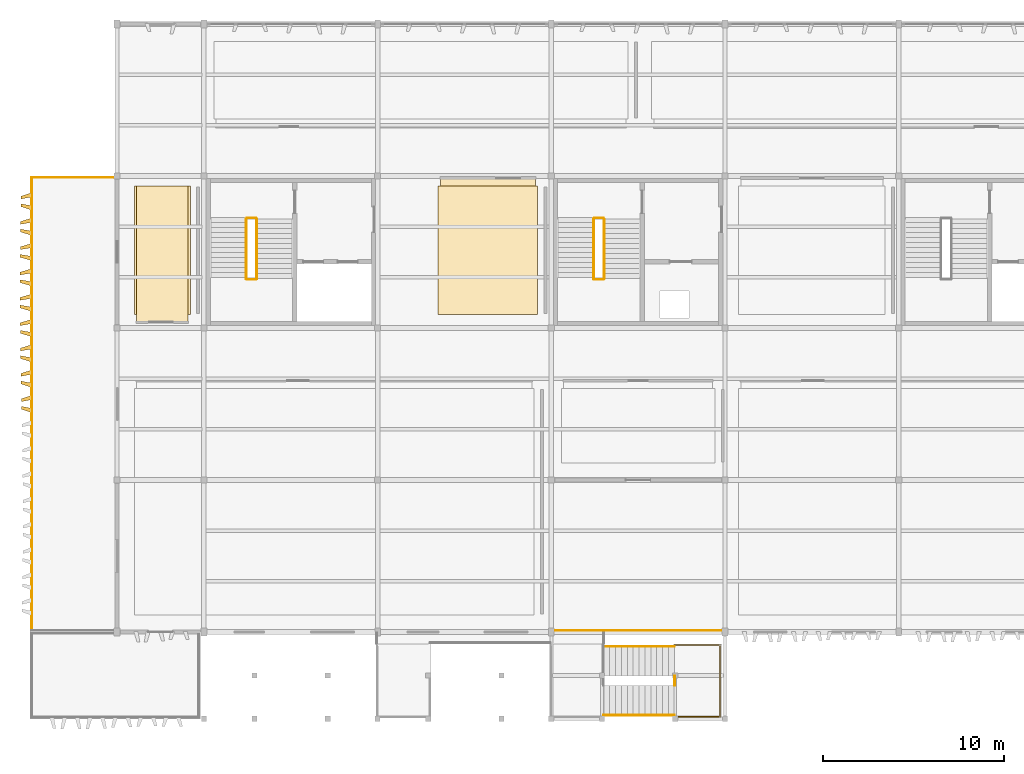
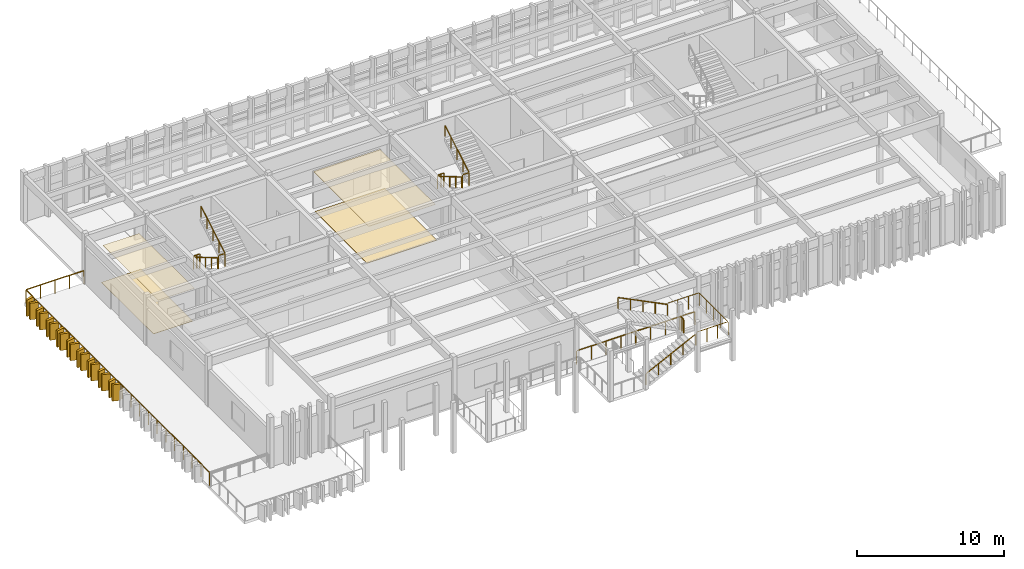
# One storey, part 12 of 14: 22 coverings, 15 railings.
"""IFC4 building model written with IfcOpenShell, lengths in metres."""

from ifc_helpers import new_model, si_unit, direction, frame, origin, origin_2d, place, context, subcontext, project, spatial, polyline, circle, outline, extrude, material, layer, layer_set, type_object, element, save


model = new_model("IFC4")

# Units and contexts
model_context = context("Model", 3, precision=1e-05, world=origin(), true_north=direction((0.0, 1.0)))
body_context = subcontext(model_context, "Body", "Model", "MODEL_VIEW")
ifc_project = project(units=[si_unit("LENGTHUNIT", "METRE"), si_unit("AREAUNIT", "SQUARE_METRE"), si_unit("VOLUMEUNIT", "CUBIC_METRE"), si_unit("PLANEANGLEUNIT", "RADIAN"), si_unit("MASSUNIT", "GRAM", prefix="KILO")], contexts=[model_context])

# Site, building, storey
site_placement = place(None, origin())
site = spatial("IfcSite", under=ifc_project, at=site_placement, CompositionType="ELEMENT")
building_placement = place(site_placement, origin())
building = spatial("IfcBuilding", under=site, at=building_placement, Name="Kolvemor Railside Polytechnic", CompositionType="ELEMENT")
storey_placement = place(building_placement, frame((0.0, 0.0, 22.800048828125)))
storey = spatial("IfcBuildingStorey", under=building, at=storey_placement, Name="L05", CompositionType="ELEMENT", Elevation=22.800048828125)

# Coverings
ifc_material_1 = material(Name="Perforated acoustic mineral-fibre and timber-slat ceiling", Category="wood")
ifc_layer_1 = layer(ifc_material_1, 0.030029296875, Name="COV-CEIL-2")
ifc_layer_set_1 = layer_set([ifc_layer_1], Name="Perforated acoustic mineral-fibre and timber-slat ceiling")
covering_type_1 = type_object("IfcCoveringType", Name="COV-CEIL-2", PredefinedType="CEILING", material=ifc_layer_set_1)
covering_1_placement = place(storey_placement, frame((0.0, 0.0, 3.02001953125)))
element("IfcCovering", 1, at=covering_1_placement, inside=storey, type_object=covering_type_1, Name="High-Performance Computing and AI Laboratory Acoustic Ceiling", PredefinedType="CEILING", context=body_context, shape_type="SweptSolid", body=[
    extrude(outline(polyline([(63.47998046875, 21.919921875), (66.320068359375, 21.919921875), (66.320068359375, 29.449951171875), (63.47998046875, 29.449951171875), (63.47998046875, 21.919921875)])), origin(), (0.0, 0.0, 1.0), 0.030029296875),
])
ifc_material_2 = material(Name="Perforated acoustic mineral-fibre and timber-slat ceiling", Category="wood")
ifc_layer_2 = layer(ifc_material_2, 0.034912109375, Name="COV-CEIL-3")
ifc_layer_set_2 = layer_set([ifc_layer_2], Name="Perforated acoustic mineral-fibre and timber-slat ceiling")
covering_type_2 = type_object("IfcCoveringType", Name="COV-CEIL-3", PredefinedType="CEILING", material=ifc_layer_set_2)
covering_2_placement = place(storey_placement, frame((0.0, 0.0, 3.014892578125)))
element("IfcCovering", 2, at=covering_2_placement, inside=storey, type_object=covering_type_2, Name="Human-Machine Interaction Laboratory Acoustic Ceiling", PredefinedType="CEILING", context=body_context, shape_type="SweptSolid", body=[
    extrude(outline(polyline([(80.280029296875, 22.35009765625), (85.52001953125, 22.35009765625), (85.52001953125, 29.8798828125), (80.280029296875, 29.8798828125), (80.280029296875, 22.35009765625)])), origin(), (0.0, 0.0, 1.0), 0.03515625),
])
ifc_material_3 = material(Name="Champagne-bronze PVDF-anodised marine aluminium 5052-H32", Category="aluminium")
ifc_layer_3 = layer(ifc_material_3, 0.179931640625, Name="COV-FIN-CHAMP")
ifc_layer_set_3 = layer_set([ifc_layer_3], Name="Champagne-bronze PVDF-anodised marine aluminium 5052-H32")
covering_type_3 = type_object("IfcCoveringType", Name="COV-FIN-CHAMP", PredefinedType="CLADDING", material=ifc_layer_set_3)
covering_3_placement = place(storey_placement, frame((0.0, 0.0, -0.219970703125)))
element("IfcCovering", 3, at=covering_3_placement, inside=storey, type_object=covering_type_3, Name="Pleated Solar Fin L05-0880", PredefinedType="CLADDING", context=body_context, shape_type="SweptSolid", body=[
    extrude(outline(polyline([(57.635009765625, 29.06494140625), (57.635009765625, 28.8349609375), (57.093994140625, 28.72998046875), (57.093994140625, 28.889892578125), (57.635009765625, 29.06494140625)])), origin(), (0.0, 0.0, 1.0), 1.369873046875),
])
covering_4_placement = place(storey_placement, frame((0.0, 0.0, -0.219970703125)))
element("IfcCovering", 4, at=covering_4_placement, inside=storey, type_object=covering_type_3, Name="Pleated Solar Fin L05-0881", PredefinedType="CLADDING", context=body_context, shape_type="SweptSolid", body=[
    extrude(outline(polyline([(57.635009765625, 28.364990234375), (57.635009765625, 28.135009765625), (57.0810546875, 28.31005859375), (57.0810546875, 28.469970703125), (57.635009765625, 28.364990234375)])), origin(), (0.0, 0.0, 1.0), 1.369873046875),
])
covering_5_placement = place(storey_placement, frame((0.0, 0.0, -0.219970703125)))
element("IfcCovering", 5, at=covering_5_placement, inside=storey, type_object=covering_type_3, Name="Pleated Solar Fin L05-0882", PredefinedType="CLADDING", context=body_context, shape_type="SweptSolid", body=[
    extrude(outline(polyline([(57.635009765625, 27.6650390625), (57.635009765625, 27.43505859375), (57.069091796875, 27.330078125), (57.069091796875, 27.489990234375), (57.635009765625, 27.6650390625)])), origin(), (0.0, 0.0, 1.0), 1.369873046875),
])
covering_6_placement = place(storey_placement, frame((0.0, 0.0, -0.219970703125)))
element("IfcCovering", 6, at=covering_6_placement, inside=storey, type_object=covering_type_3, Name="Pleated Solar Fin L05-0883", PredefinedType="CLADDING", context=body_context, shape_type="SweptSolid", body=[
    extrude(outline(polyline([(57.635009765625, 26.965087890625), (57.635009765625, 26.735107421875), (57.05810546875, 26.909912109375), (57.05810546875, 27.070068359375), (57.635009765625, 26.965087890625)])), origin(), (0.0, 0.0, 1.0), 1.369873046875),
])
covering_7_placement = place(storey_placement, frame((0.0, 0.0, -0.219970703125)))
element("IfcCovering", 7, at=covering_7_placement, inside=storey, type_object=covering_type_3, Name="Pleated Solar Fin L05-0884", PredefinedType="CLADDING", context=body_context, shape_type="SweptSolid", body=[
    extrude(outline(polyline([(57.635009765625, 26.264892578125), (57.635009765625, 26.034912109375), (57.049072265625, 25.929931640625), (57.049072265625, 26.090087890625), (57.635009765625, 26.264892578125)])), origin(), (0.0, 0.0, 1.0), 1.369873046875),
])
covering_8_placement = place(storey_placement, frame((0.0, 0.0, -0.219970703125)))
element("IfcCovering", 8, at=covering_8_placement, inside=storey, type_object=covering_type_3, Name="Pleated Solar Fin L05-0885", PredefinedType="CLADDING", context=body_context, shape_type="SweptSolid", body=[
    extrude(outline(polyline([(57.635009765625, 25.56494140625), (57.635009765625, 25.3349609375), (57.0419921875, 25.510009765625), (57.0419921875, 25.669921875), (57.635009765625, 25.56494140625)])), origin(), (0.0, 0.0, 1.0), 1.369873046875),
])
covering_9_placement = place(storey_placement, frame((0.0, 0.0, -0.219970703125)))
element("IfcCovering", 9, at=covering_9_placement, inside=storey, type_object=covering_type_3, Name="Pleated Solar Fin L05-0886", PredefinedType="CLADDING", context=body_context, shape_type="SweptSolid", body=[
    extrude(outline(polyline([(57.635009765625, 24.864990234375), (57.635009765625, 24.635009765625), (57.0380859375, 24.530029296875), (57.0380859375, 24.68994140625), (57.635009765625, 24.864990234375)])), origin(), (0.0, 0.0, 1.0), 1.369873046875),
])
covering_10_placement = place(storey_placement, frame((0.0, 0.0, -0.219970703125)))
element("IfcCovering", 10, at=covering_10_placement, inside=storey, type_object=covering_type_3, Name="Pleated Solar Fin L05-0887", PredefinedType="CLADDING", context=body_context, shape_type="SweptSolid", body=[
    extrude(outline(polyline([(57.635009765625, 24.1650390625), (57.635009765625, 23.93505859375), (57.034912109375, 24.110107421875), (57.034912109375, 24.27001953125), (57.635009765625, 24.1650390625)])), origin(), (0.0, 0.0, 1.0), 1.369873046875),
])
covering_11_placement = place(storey_placement, frame((0.0, 0.0, -0.219970703125)))
element("IfcCovering", 11, at=covering_11_placement, inside=storey, type_object=covering_type_3, Name="Pleated Solar Fin L05-0888", PredefinedType="CLADDING", context=body_context, shape_type="SweptSolid", body=[
    extrude(outline(polyline([(57.635009765625, 23.465087890625), (57.635009765625, 23.235107421875), (57.034912109375, 23.1298828125), (57.034912109375, 23.2900390625), (57.635009765625, 23.465087890625)])), origin(), (0.0, 0.0, 1.0), 1.369873046875),
])
covering_12_placement = place(storey_placement, frame((0.0, 0.0, -0.219970703125)))
element("IfcCovering", 12, at=covering_12_placement, inside=storey, type_object=covering_type_3, Name="Pleated Solar Fin L05-0889", PredefinedType="CLADDING", context=body_context, shape_type="SweptSolid", body=[
    extrude(outline(polyline([(57.635009765625, 22.764892578125), (57.635009765625, 22.534912109375), (57.0380859375, 22.7099609375), (57.0380859375, 22.8701171875), (57.635009765625, 22.764892578125)])), origin(), (0.0, 0.0, 1.0), 1.369873046875),
])
covering_13_placement = place(storey_placement, frame((0.0, 0.0, -0.219970703125)))
element("IfcCovering", 13, at=covering_13_placement, inside=storey, type_object=covering_type_3, Name="Pleated Solar Fin L05-0890", PredefinedType="CLADDING", context=body_context, shape_type="SweptSolid", body=[
    extrude(outline(polyline([(57.635009765625, 22.06494140625), (57.635009765625, 21.8349609375), (57.0419921875, 21.72998046875), (57.0419921875, 21.889892578125), (57.635009765625, 22.06494140625)])), origin(), (0.0, 0.0, 1.0), 1.369873046875),
])
covering_14_placement = place(storey_placement, frame((0.0, 0.0, -0.219970703125)))
element("IfcCovering", 14, at=covering_14_placement, inside=storey, type_object=covering_type_3, Name="Pleated Solar Fin L05-0891", PredefinedType="CLADDING", context=body_context, shape_type="SweptSolid", body=[
    extrude(outline(polyline([(57.635009765625, 21.364990234375), (57.635009765625, 21.135009765625), (57.049072265625, 21.31005859375), (57.049072265625, 21.469970703125), (57.635009765625, 21.364990234375)])), origin(), (0.0, 0.0, 1.0), 1.369873046875),
])
covering_15_placement = place(storey_placement, frame((0.0, 0.0, -0.219970703125)))
element("IfcCovering", 15, at=covering_15_placement, inside=storey, type_object=covering_type_3, Name="Pleated Solar Fin L05-0892", PredefinedType="CLADDING", context=body_context, shape_type="SweptSolid", body=[
    extrude(outline(polyline([(57.635009765625, 20.6650390625), (57.635009765625, 20.43505859375), (57.05810546875, 20.330078125), (57.05810546875, 20.489990234375), (57.635009765625, 20.6650390625)])), origin(), (0.0, 0.0, 1.0), 1.369873046875),
])
covering_16_placement = place(storey_placement, frame((0.0, 0.0, -0.219970703125)))
element("IfcCovering", 16, at=covering_16_placement, inside=storey, type_object=covering_type_3, Name="Pleated Solar Fin L05-0893", PredefinedType="CLADDING", context=body_context, shape_type="SweptSolid", body=[
    extrude(outline(polyline([(57.635009765625, 19.965087890625), (57.635009765625, 19.735107421875), (57.069091796875, 19.909912109375), (57.069091796875, 20.070068359375), (57.635009765625, 19.965087890625)])), origin(), (0.0, 0.0, 1.0), 1.369873046875),
])
covering_17_placement = place(storey_placement, frame((0.0, 0.0, -0.219970703125)))
element("IfcCovering", 17, at=covering_17_placement, inside=storey, type_object=covering_type_3, Name="Pleated Solar Fin L05-0894", PredefinedType="CLADDING", context=body_context, shape_type="SweptSolid", body=[
    extrude(outline(polyline([(57.635009765625, 19.264892578125), (57.635009765625, 19.034912109375), (57.0810546875, 18.929931640625), (57.0810546875, 19.090087890625), (57.635009765625, 19.264892578125)])), origin(), (0.0, 0.0, 1.0), 1.369873046875),
])
covering_18_placement = place(storey_placement, frame((0.0, 0.0, -0.219970703125)))
element("IfcCovering", 18, at=covering_18_placement, inside=storey, type_object=covering_type_3, Name="Pleated Solar Fin L05-0895", PredefinedType="CLADDING", context=body_context, shape_type="SweptSolid", body=[
    extrude(outline(polyline([(57.635009765625, 18.56494140625), (57.635009765625, 18.3349609375), (57.093994140625, 18.510009765625), (57.093994140625, 18.669921875), (57.635009765625, 18.56494140625)])), origin(), (0.0, 0.0, 1.0), 1.369873046875),
])
covering_19_placement = place(storey_placement, frame((0.0, 0.0, -0.219970703125)))
element("IfcCovering", 19, at=covering_19_placement, inside=storey, type_object=covering_type_3, Name="Pleated Solar Fin L05-0896", PredefinedType="CLADDING", context=body_context, shape_type="SweptSolid", body=[
    extrude(outline(polyline([(57.635009765625, 17.864990234375), (57.635009765625, 17.635009765625), (57.10791015625, 17.530029296875), (57.10791015625, 17.68994140625), (57.635009765625, 17.864990234375)])), origin(), (0.0, 0.0, 1.0), 1.369873046875),
])
covering_20_placement = place(storey_placement, frame((0.0, 0.0, -0.219970703125)))
element("IfcCovering", 20, at=covering_20_placement, inside=storey, type_object=covering_type_3, Name="Pleated Solar Fin L05-0897", PredefinedType="CLADDING", context=body_context, shape_type="SweptSolid", body=[
    extrude(outline(polyline([(57.635009765625, 17.1650390625), (57.635009765625, 16.93505859375), (57.1220703125, 17.110107421875), (57.1220703125, 17.27001953125), (57.635009765625, 17.1650390625)])), origin(), (0.0, 0.0, 1.0), 1.369873046875),
])
ifc_material_4 = material(Name="Polished coral-aggregate terrazzo and laboratory epoxy flooring")
ifc_layer_4 = layer(ifc_material_4, 0.02490234375, Name="COV-FLR-2")
ifc_layer_set_4 = layer_set([ifc_layer_4], Name="Polished coral-aggregate terrazzo and laboratory epoxy flooring")
covering_type_4 = type_object("IfcCoveringType", Name="COV-FLR-2", PredefinedType="FLOORING", material=ifc_layer_set_4)
covering_21_placement = place(storey_placement, origin())
element("IfcCovering", 21, at=covering_21_placement, inside=storey, type_object=covering_type_4, Name="High-Performance Computing and AI Laboratory Floor Finish", PredefinedType="FLOORING", context=body_context, shape_type="SweptSolid", body=[
    extrude(outline(polyline([(63.35009765625, 22.35009765625), (66.449951171875, 22.35009765625), (66.449951171875, 29.449951171875), (63.35009765625, 29.449951171875), (63.35009765625, 22.35009765625)])), origin(), (0.0, 0.0, 1.0), 0.02490234375),
])
ifc_material_5 = material(Name="Polished coral-aggregate terrazzo and laboratory epoxy flooring")
ifc_layer_5 = layer(ifc_material_5, 0.030029296875, Name="COV-FLR-3")
ifc_layer_set_5 = layer_set([ifc_layer_5], Name="Polished coral-aggregate terrazzo and laboratory epoxy flooring")
covering_type_5 = type_object("IfcCoveringType", Name="COV-FLR-3", PredefinedType="FLOORING", material=ifc_layer_set_5)
covering_22_placement = place(storey_placement, origin())
element("IfcCovering", 22, at=covering_22_placement, inside=storey, type_object=covering_type_5, Name="Human-Machine Interaction Laboratory Floor Finish", PredefinedType="FLOORING", context=body_context, shape_type="SweptSolid", body=[
    extrude(outline(polyline([(80.14990234375, 22.35009765625), (85.64990234375, 22.35009765625), (85.64990234375, 29.449951171875), (80.14990234375, 29.449951171875), (80.14990234375, 22.35009765625)])), origin(), (0.0, 0.0, 1.0), 0.030029296875),
])

# Railings
ifc_material_6 = material(Name="AISI 316 marine stainless-steel balustrade guard", Category="steel")
railing_type_1 = type_object("IfcRailingType", Name="RLG-GUARD-1120", PredefinedType="BALUSTRADE", material=ifc_material_6)
railing_1_placement = place(storey_placement, frame((62.260009765625, 29.919921875, 0.0)))
element("IfcRailing", 23, at=railing_1_placement, inside=storey, type_object=railing_type_1, Name="Shifted West Cantilever Terrace L05 N Guard GR-032", PredefinedType="BALUSTRADE", context=body_context, shape_type="SweptSolid", body=[
    extrude(circle(Radius=0.02392578125, at=origin_2d()), frame((-0.054931640625, 0.0, 1.09619140625), z_axis=(-1.0, 0.0, 0.0), x_axis=(0.0, -1.0, 0.0)), (0.0, 0.0, 1.0), 4.469970703125),
    extrude(circle(Radius=0.02099609375, at=origin_2d()), origin(), (0.0, 0.0, 1.0), 1.05712890625),
    extrude(circle(Radius=0.02099609375, at=origin_2d()), frame((-1.14501953125, 0.0, 0.0)), (0.0, 0.0, 1.0), 1.05712890625),
    extrude(circle(Radius=0.02099609375, at=origin_2d()), frame((-2.2900390625, 0.0, 0.0)), (0.0, 0.0, 1.0), 1.05712890625),
    extrude(circle(Radius=0.02099609375, at=origin_2d()), frame((-3.43505859375, 0.0, 0.0)), (0.0, 0.0, 1.0), 1.05712890625),
    extrude(circle(Radius=0.02099609375, at=origin_2d()), frame((-4.580078125, 0.0, 0.0)), (0.0, 0.0, 1.0), 1.05712890625),
])
railing_2_placement = place(storey_placement, frame((57.679931640625, 29.919921875, 0.0)))
element("IfcRailing", 24, at=railing_2_placement, inside=storey, type_object=railing_type_1, Name="Shifted West Cantilever Terrace L05 W Guard GR-033", PredefinedType="BALUSTRADE", context=body_context, shape_type="SweptSolid", body=[
    extrude(circle(Radius=0.02392578125, at=origin_2d()), frame((0.0, -0.054931640625, 1.09619140625), z_axis=(0.0, -1.0, 0.0), x_axis=(1.0, 0.0, 0.0)), (0.0, 0.0, 1.0), 24.929931640625),
    extrude(circle(Radius=0.02099609375, at=origin_2d()), origin(), (0.0, 0.0, 1.0), 1.05712890625),
    extrude(circle(Radius=0.02099609375, at=origin_2d()), frame((0.0, -1.1923828125, 0.0)), (0.0, 0.0, 1.0), 1.05712890625),
    extrude(circle(Radius=0.02099609375, at=origin_2d()), frame((0.0, -2.384765625, 0.0)), (0.0, 0.0, 1.0), 1.05712890625),
    extrude(circle(Radius=0.02099609375, at=origin_2d()), frame((0.0, -3.5771484375, 0.0)), (0.0, 0.0, 1.0), 1.05712890625),
    extrude(circle(Radius=0.02099609375, at=origin_2d()), frame((0.0, -4.76953125, 0.0)), (0.0, 0.0, 1.0), 1.05712890625),
    extrude(circle(Radius=0.02099609375, at=origin_2d()), frame((0.0, -5.9619140625, 0.0)), (0.0, 0.0, 1.0), 1.05712890625),
    extrude(circle(Radius=0.02099609375, at=origin_2d()), frame((0.0, -7.154296875, 0.0)), (0.0, 0.0, 1.0), 1.05712890625),
    extrude(circle(Radius=0.02099609375, at=origin_2d()), frame((0.0, -8.3466796875, 0.0)), (0.0, 0.0, 1.0), 1.05712890625),
    extrude(circle(Radius=0.02099609375, at=origin_2d()), frame((0.0, -9.5390625, 0.0)), (0.0, 0.0, 1.0), 1.05712890625),
    extrude(circle(Radius=0.02099609375, at=origin_2d()), frame((0.0, -10.7314453125, 0.0)), (0.0, 0.0, 1.0), 1.05712890625),
    extrude(circle(Radius=0.02099609375, at=origin_2d()), frame((0.0, -11.923828125, 0.0)), (0.0, 0.0, 1.0), 1.05712890625),
    extrude(circle(Radius=0.02099609375, at=origin_2d()), frame((0.0, -13.1162109375, 0.0)), (0.0, 0.0, 1.0), 1.05712890625),
    extrude(circle(Radius=0.02099609375, at=origin_2d()), frame((0.0, -14.30859375, 0.0)), (0.0, 0.0, 1.0), 1.05712890625),
    extrude(circle(Radius=0.02099609375, at=origin_2d()), frame((0.0, -15.5009765625, 0.0)), (0.0, 0.0, 1.0), 1.05712890625),
    extrude(circle(Radius=0.02099609375, at=origin_2d()), frame((0.0, -16.693359375, 0.0)), (0.0, 0.0, 1.0), 1.05712890625),
    extrude(circle(Radius=0.02099609375, at=origin_2d()), frame((0.0, -17.8857421875, 0.0)), (0.0, 0.0, 1.0), 1.05712890625),
    extrude(circle(Radius=0.02099609375, at=origin_2d()), frame((0.0, -19.078125, 0.0)), (0.0, 0.0, 1.0), 1.05712890625),
    extrude(circle(Radius=0.02099609375, at=origin_2d()), frame((0.0, -20.2705078125, 0.0)), (0.0, 0.0, 1.0), 1.05712890625),
    extrude(circle(Radius=0.02099609375, at=origin_2d()), frame((0.0, -21.462890625, 0.0)), (0.0, 0.0, 1.0), 1.05712890625),
    extrude(circle(Radius=0.02099609375, at=origin_2d()), frame((0.0, -22.6552734375, 0.0)), (0.0, 0.0, 1.0), 1.05712890625),
    extrude(circle(Radius=0.02099609375, at=origin_2d()), frame((0.0, -23.84765625, 0.0)), (0.0, 0.0, 1.0), 1.05712890625),
    extrude(circle(Radius=0.02099609375, at=origin_2d()), frame((0.0, -25.0400390625, 0.0)), (0.0, 0.0, 1.0), 1.05712890625),
])
railing_3_placement = place(storey_placement, frame((86.5400390625, 4.8798828125, 0.0)))
element("IfcRailing", 25, at=railing_3_placement, inside=storey, type_object=railing_type_1, Name="Corner Study Terrace L05-S S Guard GR-038", PredefinedType="BALUSTRADE", context=body_context, shape_type="SweptSolid", body=[
    extrude(circle(Radius=0.02392578125, at=origin_2d()), frame((0.054931640625, 0.0, 1.09619140625), z_axis=(1.0, 0.0, 0.0), x_axis=(0.0, 1.0, 0.0)), (0.0, 0.0, 1.0), 9.2099609375),
    extrude(circle(Radius=0.02099609375, at=origin_2d()), origin(), (0.0, 0.0, 1.0), 1.05712890625),
    extrude(circle(Radius=0.02099609375, at=origin_2d()), frame((1.1650390625, 0.0, 0.0)), (0.0, 0.0, 1.0), 1.05712890625),
    extrude(circle(Radius=0.02099609375, at=origin_2d()), frame((2.330078125, 0.0, 0.0)), (0.0, 0.0, 1.0), 1.05712890625),
    extrude(circle(Radius=0.02099609375, at=origin_2d()), frame((3.4951171875, 0.0, 0.0)), (0.0, 0.0, 1.0), 1.05712890625),
    extrude(circle(Radius=0.02099609375, at=origin_2d()), frame((4.66015625, 0.0, 0.0)), (0.0, 0.0, 1.0), 1.05712890625),
    extrude(circle(Radius=0.02099609375, at=origin_2d()), frame((5.824951171875, 0.0, 0.0)), (0.0, 0.0, 1.0), 1.05712890625),
    extrude(circle(Radius=0.02099609375, at=origin_2d()), frame((6.989990234375, 0.0, 0.0)), (0.0, 0.0, 1.0), 1.05712890625),
    extrude(circle(Radius=0.02099609375, at=origin_2d()), frame((8.155029296875, 0.0, 0.0)), (0.0, 0.0, 1.0), 1.05712890625),
    extrude(circle(Radius=0.02099609375, at=origin_2d()), frame((9.320068359375, 0.0, 0.0)), (0.0, 0.0, 1.0), 1.05712890625),
])
railing_4_placement = place(storey_placement, frame((69.580078125, 27.679931640625, 0.0)))
element("IfcRailing", 26, at=railing_4_placement, inside=storey, type_object=railing_type_1, Name="ST-1 Floor Slot Guard L05", PredefinedType="BALUSTRADE", context=body_context, shape_type="SweptSolid", body=[
    extrude(circle(Radius=0.02392578125, at=origin_2d()), frame((0.054931640625, 0.0, 1.09619140625), z_axis=(1.0, 0.0, 0.0), x_axis=(0.0, 1.0, 0.0)), (0.0, 0.0, 1.0), 0.389892578125),
    extrude(circle(Radius=0.02099609375, at=origin_2d()), origin(), (0.0, 0.0, 1.0), 1.05712890625),
    extrude(circle(Radius=0.02099609375, at=origin_2d()), frame((0.25, 0.0, 0.0)), (0.0, 0.0, 1.0), 1.05712890625),
    extrude(circle(Radius=0.02099609375, at=origin_2d()), frame((0.5, 0.0, 0.0)), (0.0, 0.0, 1.0), 1.05712890625),
])
railing_5_placement = place(storey_placement, frame((69.580078125, 24.280029296875, 2.099853515625)))
element("IfcRailing", 27, at=railing_5_placement, inside=storey, type_object=railing_type_1, Name="ST-1 Half-Landing Slot Guard L05", PredefinedType="BALUSTRADE", context=body_context, shape_type="SweptSolid", body=[
    extrude(circle(Radius=0.02392578125, at=origin_2d()), frame((0.054931640625, 0.0, 1.09619140625), z_axis=(1.0, 0.0, 0.0), x_axis=(0.0, 1.0, 0.0)), (0.0, 0.0, 1.0), 0.389892578125),
    extrude(circle(Radius=0.02099609375, at=origin_2d()), origin(), (0.0, 0.0, 1.0), 1.05712890625),
    extrude(circle(Radius=0.02099609375, at=origin_2d()), frame((0.5, 0.0, 0.0)), (0.0, 0.0, 1.0), 1.05712890625),
])
railing_6_placement = place(storey_placement, frame((88.780029296875, 27.679931640625, 0.0)))
element("IfcRailing", 28, at=railing_6_placement, inside=storey, type_object=railing_type_1, Name="ST-3 Floor Slot Guard L05", PredefinedType="BALUSTRADE", context=body_context, shape_type="SweptSolid", body=[
    extrude(circle(Radius=0.02392578125, at=origin_2d()), frame((0.054931640625, 0.0, 1.09619140625), z_axis=(1.0, 0.0, 0.0), x_axis=(0.0, 1.0, 0.0)), (0.0, 0.0, 1.0), 0.389892578125),
    extrude(circle(Radius=0.02099609375, at=origin_2d()), origin(), (0.0, 0.0, 1.0), 1.05712890625),
    extrude(circle(Radius=0.02099609375, at=origin_2d()), frame((0.25, 0.0, 0.0)), (0.0, 0.0, 1.0), 1.05712890625),
    extrude(circle(Radius=0.02099609375, at=origin_2d()), frame((0.5, 0.0, 0.0)), (0.0, 0.0, 1.0), 1.05712890625),
])
railing_7_placement = place(storey_placement, frame((88.780029296875, 24.280029296875, 2.099853515625)))
element("IfcRailing", 29, at=railing_7_placement, inside=storey, type_object=railing_type_1, Name="ST-3 Half-Landing Slot Guard L05", PredefinedType="BALUSTRADE", context=body_context, shape_type="SweptSolid", body=[
    extrude(circle(Radius=0.02392578125, at=origin_2d()), frame((0.054931640625, 0.0, 1.09619140625), z_axis=(1.0, 0.0, 0.0), x_axis=(0.0, 1.0, 0.0)), (0.0, 0.0, 1.0), 0.389892578125),
    extrude(circle(Radius=0.02099609375, at=origin_2d()), origin(), (0.0, 0.0, 1.0), 1.05712890625),
    extrude(circle(Radius=0.02099609375, at=origin_2d()), frame((0.5, 0.0, 0.0)), (0.0, 0.0, 1.0), 1.05712890625),
])
railing_8_placement = place(storey_placement, frame((93.219970703125, 0.1201171875, 2.099853515625)))
element("IfcRailing", 30, at=railing_8_placement, inside=storey, type_object=railing_type_1, Name="ST-EXT Half-Landing Perimeter Guard L05", PredefinedType="BALUSTRADE", context=body_context, shape_type="SweptSolid", body=[
    extrude(circle(Radius=0.02392578125, at=origin_2d()), frame((0.054931640625, 0.0, 1.09619140625), z_axis=(1.0, 0.0, 0.0), x_axis=(0.0, 1.0, 0.0)), (0.0, 0.0, 1.0), 2.389892578125),
    extrude(circle(Radius=0.02392578125, at=origin_2d()), frame((2.5, 0.054931640625, 1.09619140625), z_axis=(0.0, 1.0, 0.0), x_axis=(-1.0, 0.0, 0.0)), (0.0, 0.0, 1.0), 3.849853515625),
    extrude(circle(Radius=0.02392578125, at=origin_2d()), frame((2.445068359375, 3.9599609375, 1.09619140625), z_axis=(-1.0, 0.0, 0.0), x_axis=(0.0, -1.0, 0.0)), (0.0, 0.0, 1.0), 2.389892578125),
    extrude(circle(Radius=0.02099609375, at=origin_2d()), origin(), (0.0, 0.0, 1.0), 1.05712890625),
    extrude(circle(Radius=0.02099609375, at=origin_2d()), frame((0.833251953125, 0.0, 0.0)), (0.0, 0.0, 1.0), 1.05712890625),
    extrude(circle(Radius=0.02099609375, at=origin_2d()), frame((1.666748046875, 0.0, 0.0)), (0.0, 0.0, 1.0), 1.05712890625),
    extrude(circle(Radius=0.02099609375, at=origin_2d()), frame((2.5, 0.0, 0.0)), (0.0, 0.0, 1.0), 1.05712890625),
    extrude(circle(Radius=0.02099609375, at=origin_2d()), frame((2.5, 0.989990234375, 0.0)), (0.0, 0.0, 1.0), 1.05712890625),
    extrude(circle(Radius=0.02099609375, at=origin_2d()), frame((2.5, 1.97998046875, 0.0)), (0.0, 0.0, 1.0), 1.05712890625),
    extrude(circle(Radius=0.02099609375, at=origin_2d()), frame((2.5, 2.969970703125, 0.0)), (0.0, 0.0, 1.0), 1.05712890625),
    extrude(circle(Radius=0.02099609375, at=origin_2d()), frame((2.5, 3.9599609375, 0.0)), (0.0, 0.0, 1.0), 1.05712890625),
    extrude(circle(Radius=0.02099609375, at=origin_2d()), frame((1.666748046875, 3.9599609375, 0.0)), (0.0, 0.0, 1.0), 1.05712890625),
    extrude(circle(Radius=0.02099609375, at=origin_2d()), frame((0.833251953125, 3.9599609375, 0.0)), (0.0, 0.0, 1.0), 1.05712890625),
    extrude(circle(Radius=0.02099609375, at=origin_2d()), frame((0.0, 3.9599609375, 0.0)), (0.0, 0.0, 1.0), 1.05712890625),
])
railing_9_placement = place(storey_placement, frame((93.219970703125, 1.840087890625, 2.099853515625)))
element("IfcRailing", 31, at=railing_9_placement, inside=storey, type_object=railing_type_1, Name="ST-EXT Half-Landing Slot Guard L05", PredefinedType="BALUSTRADE", context=body_context, shape_type="SweptSolid", body=[
    extrude(circle(Radius=0.02392578125, at=origin_2d()), frame((0.0, 0.054931640625, 1.09619140625), z_axis=(0.0, 1.0, 0.0), x_axis=(-1.0, 0.0, 0.0)), (0.0, 0.0, 1.0), 0.409912109375),
    extrude(circle(Radius=0.02099609375, at=origin_2d()), origin(), (0.0, 0.0, 1.0), 1.05712890625),
    extrude(circle(Radius=0.02099609375, at=origin_2d()), frame((0.0, 0.260009765625, 0.0)), (0.0, 0.0, 1.0), 1.05712890625),
    extrude(circle(Radius=0.02099609375, at=origin_2d()), frame((0.0, 0.52001953125, 0.0)), (0.0, 0.0, 1.0), 1.05712890625),
])
ifc_material_7 = material(Name="Brushed AISI 316 stainless-steel stair handrail", Category="steel")
railing_type_2 = type_object("IfcRailingType", Name="RLG-HANDRAIL-920", PredefinedType="HANDRAIL", material=ifc_material_7)
railing_10_placement = place(storey_placement, frame((69.5400390625, 27.6201171875, 0.161376953125)))
element("IfcRailing", 32, at=railing_10_placement, inside=storey, type_object=railing_type_2, Name="ST-1 Flight 1 Handrail L05", PredefinedType="HANDRAIL", context=body_context, shape_type="SweptSolid", body=[
    extrude(circle(Radius=0.02392578125, at=origin_2d()), frame((0.0, -0.04736328125, 0.923828125), z_axis=(0.0, -0.862245621732, 0.506490362991), x_axis=(1.0, 0.0, 0.0)), (0.0, 0.0, 1.0), 3.71728515625),
    extrude(circle(Radius=0.02099609375, at=origin_2d()), origin(), (0.0, 0.0, 1.0), 0.85693359375),
    extrude(circle(Radius=0.02099609375, at=origin_2d()), frame((0.0, -0.824951171875, 0.484619140625)), (0.0, 0.0, 1.0), 0.85693359375),
    extrude(circle(Radius=0.02099609375, at=origin_2d()), frame((0.0, -1.64990234375, 0.96923828125)), (0.0, 0.0, 1.0), 0.85693359375),
    extrude(circle(Radius=0.02099609375, at=origin_2d()), frame((0.0, -2.47509765625, 1.453857421875)), (0.0, 0.0, 1.0), 0.85693359375),
    extrude(circle(Radius=0.02099609375, at=origin_2d()), frame((0.0, -3.300048828125, 1.9384765625)), (0.0, 0.0, 1.0), 0.85693359375),
])
railing_11_placement = place(storey_placement, frame((70.1201171875, 24.320068359375, 2.261474609375)))
element("IfcRailing", 33, at=railing_11_placement, inside=storey, type_object=railing_type_2, Name="ST-1 Flight 2 Handrail L05", PredefinedType="HANDRAIL", context=body_context, shape_type="SweptSolid", body=[
    extrude(circle(Radius=0.02392578125, at=origin_2d()), frame((0.0, 0.04736328125, 0.923828125), z_axis=(0.0, 0.862245621732, 0.506490362991), x_axis=(-1.0, 0.0, 0.0)), (0.0, 0.0, 1.0), 3.71728515625),
    extrude(circle(Radius=0.02099609375, at=origin_2d()), origin(), (0.0, 0.0, 1.0), 0.85693359375),
    extrude(circle(Radius=0.02099609375, at=origin_2d()), frame((0.0, 0.824951171875, 0.484619140625)), (0.0, 0.0, 1.0), 0.85693359375),
    extrude(circle(Radius=0.02099609375, at=origin_2d()), frame((0.0, 1.64990234375, 0.96923828125)), (0.0, 0.0, 1.0), 0.85693359375),
    extrude(circle(Radius=0.02099609375, at=origin_2d()), frame((0.0, 2.47509765625, 1.453857421875)), (0.0, 0.0, 1.0), 0.85693359375),
    extrude(circle(Radius=0.02099609375, at=origin_2d()), frame((0.0, 3.300048828125, 1.9384765625)), (0.0, 0.0, 1.0), 0.85693359375),
])
railing_12_placement = place(storey_placement, frame((88.739990234375, 27.6201171875, 0.161376953125)))
element("IfcRailing", 34, at=railing_12_placement, inside=storey, type_object=railing_type_2, Name="ST-3 Flight 1 Handrail L05", PredefinedType="HANDRAIL", context=body_context, shape_type="SweptSolid", body=[
    extrude(circle(Radius=0.02392578125, at=origin_2d()), frame((0.0, -0.04736328125, 0.923828125), z_axis=(0.0, -0.862245621732, 0.506490362991), x_axis=(1.0, 0.0, 0.0)), (0.0, 0.0, 1.0), 3.71728515625),
    extrude(circle(Radius=0.02099609375, at=origin_2d()), origin(), (0.0, 0.0, 1.0), 0.85693359375),
    extrude(circle(Radius=0.02099609375, at=origin_2d()), frame((0.0, -0.824951171875, 0.484619140625)), (0.0, 0.0, 1.0), 0.85693359375),
    extrude(circle(Radius=0.02099609375, at=origin_2d()), frame((0.0, -1.64990234375, 0.96923828125)), (0.0, 0.0, 1.0), 0.85693359375),
    extrude(circle(Radius=0.02099609375, at=origin_2d()), frame((0.0, -2.47509765625, 1.453857421875)), (0.0, 0.0, 1.0), 0.85693359375),
    extrude(circle(Radius=0.02099609375, at=origin_2d()), frame((0.0, -3.300048828125, 1.9384765625)), (0.0, 0.0, 1.0), 0.85693359375),
])
railing_13_placement = place(storey_placement, frame((89.320068359375, 24.320068359375, 2.261474609375)))
element("IfcRailing", 35, at=railing_13_placement, inside=storey, type_object=railing_type_2, Name="ST-3 Flight 2 Handrail L05", PredefinedType="HANDRAIL", context=body_context, shape_type="SweptSolid", body=[
    extrude(circle(Radius=0.02392578125, at=origin_2d()), frame((0.0, 0.04736328125, 0.923828125), z_axis=(0.0, 0.862245621732, 0.506490362991), x_axis=(-1.0, 0.0, 0.0)), (0.0, 0.0, 1.0), 3.71728515625),
    extrude(circle(Radius=0.02099609375, at=origin_2d()), origin(), (0.0, 0.0, 1.0), 0.85693359375),
    extrude(circle(Radius=0.02099609375, at=origin_2d()), frame((0.0, 0.824951171875, 0.484619140625)), (0.0, 0.0, 1.0), 0.85693359375),
    extrude(circle(Radius=0.02099609375, at=origin_2d()), frame((0.0, 1.64990234375, 0.96923828125)), (0.0, 0.0, 1.0), 0.85693359375),
    extrude(circle(Radius=0.02099609375, at=origin_2d()), frame((0.0, 2.47509765625, 1.453857421875)), (0.0, 0.0, 1.0), 0.85693359375),
    extrude(circle(Radius=0.02099609375, at=origin_2d()), frame((0.0, 3.300048828125, 1.9384765625)), (0.0, 0.0, 1.0), 0.85693359375),
])
railing_14_placement = place(storey_placement, frame((89.300048828125, 0.199951171875, 0.161376953125)))
element("IfcRailing", 36, at=railing_14_placement, inside=storey, type_object=railing_type_2, Name="ST-EXT Flight 1 Handrail L05", PredefinedType="HANDRAIL", context=body_context, shape_type="SweptSolid", body=[
    extrude(circle(Radius=0.02392578125, at=origin_2d()), frame((0.04931640625, 0.0, 0.92041015625), z_axis=(0.895478607335, 0.0, 0.44510455379), x_axis=(0.0, 1.0, 0.0)), (0.0, 0.0, 1.0), 4.2451171875),
    extrude(circle(Radius=0.02099609375, at=origin_2d()), origin(), (0.0, 0.0, 1.0), 0.85693359375),
    extrude(circle(Radius=0.02099609375, at=origin_2d()), frame((0.97509765625, 0.0, 0.484619140625)), (0.0, 0.0, 1.0), 0.85693359375),
    extrude(circle(Radius=0.02099609375, at=origin_2d()), frame((1.949951171875, 0.0, 0.96923828125)), (0.0, 0.0, 1.0), 0.85693359375),
    extrude(circle(Radius=0.02099609375, at=origin_2d()), frame((2.9248046875, 0.0, 1.453857421875)), (0.0, 0.0, 1.0), 0.85693359375),
    extrude(circle(Radius=0.02099609375, at=origin_2d()), frame((3.89990234375, 0.0, 1.9384765625)), (0.0, 0.0, 1.0), 0.85693359375),
])
railing_15_placement = place(storey_placement, frame((93.199951171875, 4.0, 2.261474609375)))
element("IfcRailing", 37, at=railing_15_placement, inside=storey, type_object=railing_type_2, Name="ST-EXT Flight 2 Handrail L05", PredefinedType="HANDRAIL", context=body_context, shape_type="SweptSolid", body=[
    extrude(circle(Radius=0.02392578125, at=origin_2d()), frame((-0.04931640625, 0.0, 0.92041015625), z_axis=(-0.895478607335, 0.0, 0.44510455379), x_axis=(0.0, -1.0, 0.0)), (0.0, 0.0, 1.0), 4.2451171875),
    extrude(circle(Radius=0.02099609375, at=origin_2d()), origin(), (0.0, 0.0, 1.0), 0.85693359375),
    extrude(circle(Radius=0.02099609375, at=origin_2d()), frame((-0.97509765625, 0.0, 0.484619140625)), (0.0, 0.0, 1.0), 0.85693359375),
    extrude(circle(Radius=0.02099609375, at=origin_2d()), frame((-1.949951171875, 0.0, 0.96923828125)), (0.0, 0.0, 1.0), 0.85693359375),
    extrude(circle(Radius=0.02099609375, at=origin_2d()), frame((-2.9248046875, 0.0, 1.453857421875)), (0.0, 0.0, 1.0), 0.85693359375),
    extrude(circle(Radius=0.02099609375, at=origin_2d()), frame((-3.89990234375, 0.0, 1.9384765625)), (0.0, 0.0, 1.0), 0.85693359375),
])

save(model, "model.ifc")
